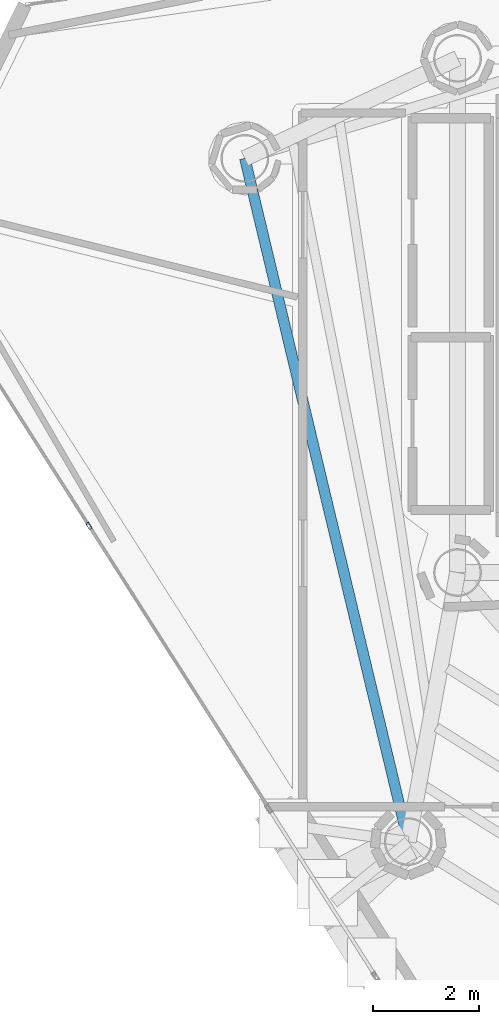
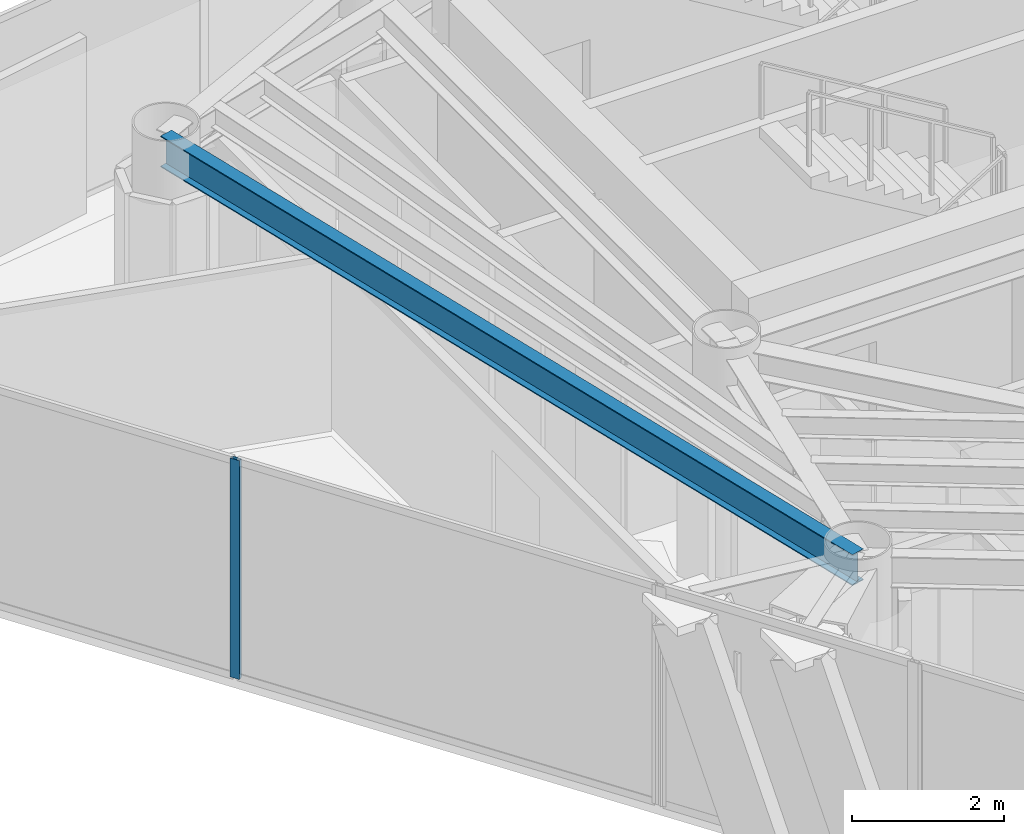
# One storey, part 8 of 25: 1 beam, 1 member, 1 element without a shape of its own.
"""IFC4 building model written with IfcOpenShell, lengths in metres."""

from ifc_helpers import new_model, si_unit, direction, frame, origin, origin_2d, place, context, subcontext, project, spatial, hollow_rectangle, i_section, extrude, material, layer, layer_set, material_profile, profile_set, type_object, element, aggregate, save


model = new_model("IFC4")

# Units and contexts
model_context = context("Model", 3, precision=1e-05, world=origin(), true_north=direction((0.0, 1.0)))
body_context = subcontext(model_context, "Body", "Model", "MODEL_VIEW")
ifc_project = project(units=[si_unit("LENGTHUNIT", "METRE"), si_unit("AREAUNIT", "SQUARE_METRE"), si_unit("VOLUMEUNIT", "CUBIC_METRE"), si_unit("PLANEANGLEUNIT", "RADIAN"), si_unit("MASSUNIT", "GRAM", prefix="KILO")], contexts=[model_context])

# Site, building, storey
site_placement = place(None, origin())
site = spatial("IfcSite", under=ifc_project, at=site_placement, CompositionType="ELEMENT")
building_placement = place(site_placement, origin())
building = spatial("IfcBuilding", under=site, at=building_placement, Name="Qianvela Tower", CompositionType="ELEMENT")
storey_placement = place(building_placement, frame((0.0, 0.0, 295.39990234375)))
storey = spatial("IfcBuildingStorey", under=building, at=storey_placement, Name="L76", CompositionType="ELEMENT", Elevation=295.39990234375)

# Beam
ifc_material_1 = material(Name="Steel Q355B", Category="steel")
ifc_material_profile_1 = material_profile(ifc_material_1, i_section(OverallWidth=0.199951171875, OverallDepth=0.5, WebThickness=0.010009765625, FlangeThickness=0.01611328125, at=origin_2d()), Name="HN500x200x10x16")
ifc_profile_set_1 = profile_set([ifc_material_profile_1], Name="Steel Q355B")
beam_type = type_object("IfcBeamType", Name="BM-HN500-GIRD", PredefinedType="BEAM", material=ifc_profile_set_1)
beam_placement = place(storey_placement, frame((24.5869140625, 31.6630859375, 3.26806640625), z_axis=(0.232631550142, -0.972564939672, 0.0), x_axis=(0.972564939672, 0.232631550142, 0.0)))
element("IfcBeam", 1, at=beam_placement, inside=storey, type_object=beam_type, Name="L76 Perimeter Ring Spandrel Girder 3", PredefinedType="BEAM", context=body_context, shape_type="SweptSolid", body=[
    extrude(i_section(OverallWidth=0.199951171875, OverallDepth=0.5, WebThickness=0.010009765625, FlangeThickness=0.01611328125, at=origin_2d()), origin(), (0.0, 0.0, 1.0), 13.252685546875),
])

# Curtain wall, member
ifc_material_2 = material(Name="Anodised Architectural Aluminium and Low-E Glass", Category="aluminium")
ifc_layer = layer(ifc_material_2, 0.14990234375)
ifc_layer_set = layer_set([ifc_layer], Name="Anodised Architectural Aluminium and Low-E Glass")
curtain_wall_type = type_object("IfcCurtainWallType", Name="CW-COLIV-Z78", PredefinedType="USERDEFINED", material=ifc_layer_set)
curtain_wall_placement = place(storey_placement, origin())
curtain_wall = element("IfcCurtainWall", 2, at=curtain_wall_placement, inside=storey, type_object=curtain_wall_type, Name="L76 CW-COLIV-Z78 Curtain Wall 04A", ObjectType="CURTAIN_WALL_SYSTEM", PredefinedType="USERDEFINED")
ifc_material_3 = material(Name="Anodised Architectural Aluminium 6063-T6", Category="aluminium")
ifc_material_profile_2 = material_profile(ifc_material_3, hollow_rectangle(XDim=0.06005859375, YDim=0.139892578125, WallThickness=0.00439453125, at=origin_2d()), Name="ALU-MULL-60x140")
ifc_profile_set_2 = profile_set([ifc_material_profile_2], Name="Anodised Architectural Aluminium 6063-T6")
member_type = type_object("IfcMemberType", Name="CW-COLIV-Z78-MULL", PredefinedType="MULLION", material=ifc_profile_set_2)
member_placement = place(storey_placement, frame((21.645751953125, 24.73095703125, 0.0), z_axis=(0.0, 0.0, 1.0), x_axis=(0.843577423445, 0.537007570388, 0.0)))
member = element("IfcMember", 3, at=member_placement, type_object=member_type, Name="CW-6 mullion 2", PredefinedType="MULLION", context=body_context, shape_type="SweptSolid", body=[
    extrude(hollow_rectangle(XDim=0.06005859375, YDim=0.139892578125, WallThickness=0.00439453125, at=origin_2d()), origin(), (0.0, 0.0, 1.0), 3.52001953125),
])
aggregate(curtain_wall, [member])

save(model, "model.ifc")
